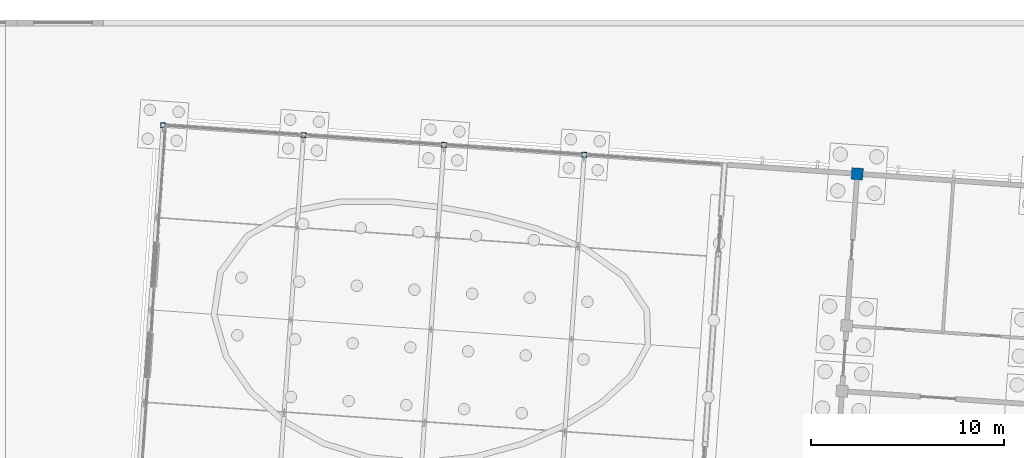
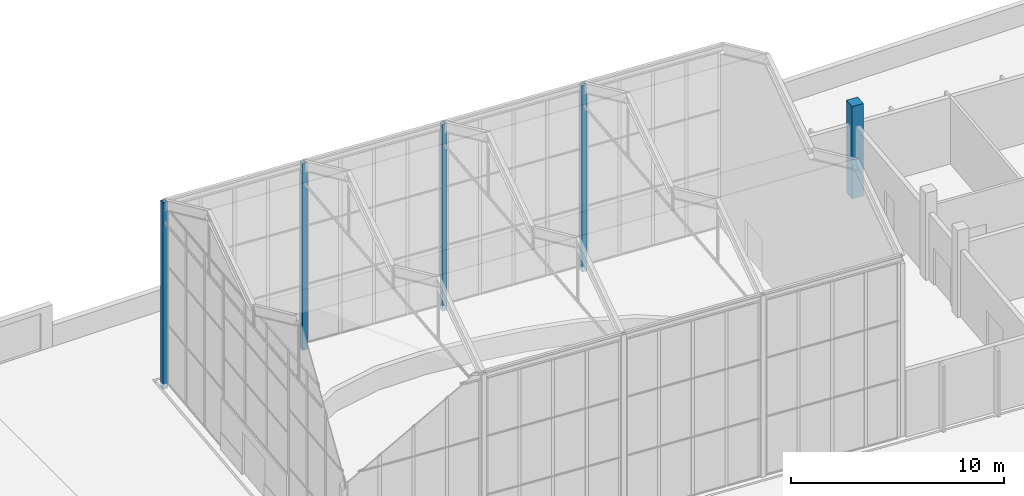
# One storey, part 28 of 157: 5 columns.
"""IFC4 building model written with IfcOpenShell, lengths in metres."""

from ifc_helpers import new_model, si_unit, direction, frame, origin, origin_2d, place, context, subcontext, project, spatial, rectangle, hollow_rectangle, extrude, material, material_profile, profile_set, type_object, element, save


model = new_model("IFC4")

# Units and contexts
model_context = context("Model", 3, precision=1e-05, world=origin(), true_north=direction((0.0, 1.0)))
body_context = subcontext(model_context, "Body", "Model", "MODEL_VIEW")
ifc_project = project(units=[si_unit("LENGTHUNIT", "METRE"), si_unit("AREAUNIT", "SQUARE_METRE"), si_unit("VOLUMEUNIT", "CUBIC_METRE"), si_unit("PLANEANGLEUNIT", "RADIAN"), si_unit("MASSUNIT", "GRAM", prefix="KILO")], contexts=[model_context])

# Site, building, storey
site_placement = place(None, origin())
site = spatial("IfcSite", under=ifc_project, at=site_placement, CompositionType="ELEMENT")
building_placement = place(site_placement, origin())
building = spatial("IfcBuilding", under=site, at=building_placement, Name="Windward Yard Aquatics Centre", CompositionType="ELEMENT")
storey_placement = place(building_placement, origin())
storey = spatial("IfcBuildingStorey", under=building, at=storey_placement, Name="L00", CompositionType="ELEMENT", Elevation=0.0)

# Columns
ifc_material_1 = material(Name="Steel S355", Category="steel")
ifc_material_profile_1 = material_profile(ifc_material_1, hollow_rectangle(XDim=0.25390625, YDim=0.25390625, WallThickness=0.01171875, at=origin_2d()), Name="HSS254x254x12.7")
ifc_profile_set_1 = profile_set([ifc_material_profile_1], Name="Steel S355")
column_type_1 = type_object("IfcColumnType", Name="W HSS254x254x12.7 column", PredefinedType="COLUMN", material=ifc_profile_set_1)
for number, where, z_axis, x_axis, name in (
    (1, (73.1904296875, 138.53662109375, -0.300048828125), (0.0, 0.0, 1.0), (0.99756405026, -0.069756473744, 0.0), "W.HCOL.1N"),
    (2, (80.47265625, 138.02734375, -0.300048828125), (0.0, 0.0, 1.0), (0.99756405026, -0.069756473744, 0.0), "W.HCOL.2N"),
    (3, (87.7548828125, 137.51806640625, -0.300048828125), (0.0, 0.0, 1.0), (0.99756405026, -0.069756473744, 0.0), "W.HCOL.3N"),
    (4, (95.037109375, 137.0087890625, -0.300048828125), (0.0, 0.0, 1.0), (0.99756405026, -0.069756473744, 0.0), "W.HCOL.4N"),
):
    element("IfcColumn", number, at=place(storey_placement, frame(where, z_axis=z_axis, x_axis=x_axis)), inside=storey, type_object=column_type_1, Name=name, PredefinedType="COLUMN", context=body_context, shape_type="SweptSolid", body=[
        extrude(hollow_rectangle(XDim=0.25390625, YDim=0.25390625, WallThickness=0.01171875, at=origin_2d()), origin(), (0.0, 0.0, 1.0), 10.699951171875),
    ])
ifc_material_2 = material(Name="Concrete C50/60", Category="concrete")
ifc_material_profile_2 = material_profile(ifc_material_2, rectangle(XDim=0.60009765625, YDim=0.60009765625, at=origin_2d()), Name="RC 600x600")
ifc_profile_set_2 = profile_set([ifc_material_profile_2], Name="Concrete C50/60")
column_type_2 = type_object("IfcColumnType", Name="W RC 600x600 column Concrete C50/60", PredefinedType="COLUMN", material=ifc_profile_set_2)
column_placement = place(storey_placement, frame((109.202392578125, 136.018310546875, -0.300048828125), z_axis=(0.0, 0.0, 1.0), x_axis=(0.99756405026, -0.069756473744, 0.0)))
element("IfcColumn", 5, at=column_placement, inside=storey, type_object=column_type_2, Name="W.COL.L00.1D", PredefinedType="COLUMN", context=body_context, shape_type="SweptSolid", body=[
    extrude(rectangle(XDim=0.60009765625, YDim=0.60009765625, at=origin_2d()), origin(), (0.0, 0.0, 1.0), 5.300048828125),
])

save(model, "model.ifc")
